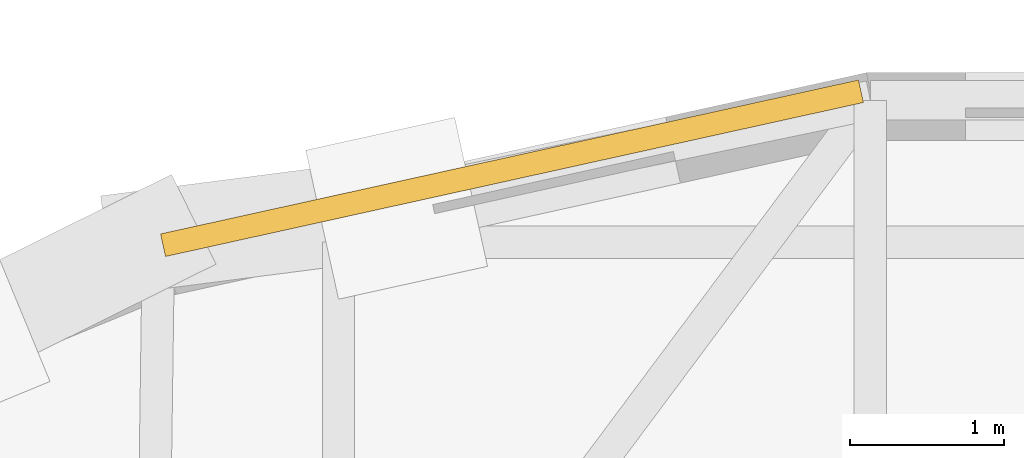
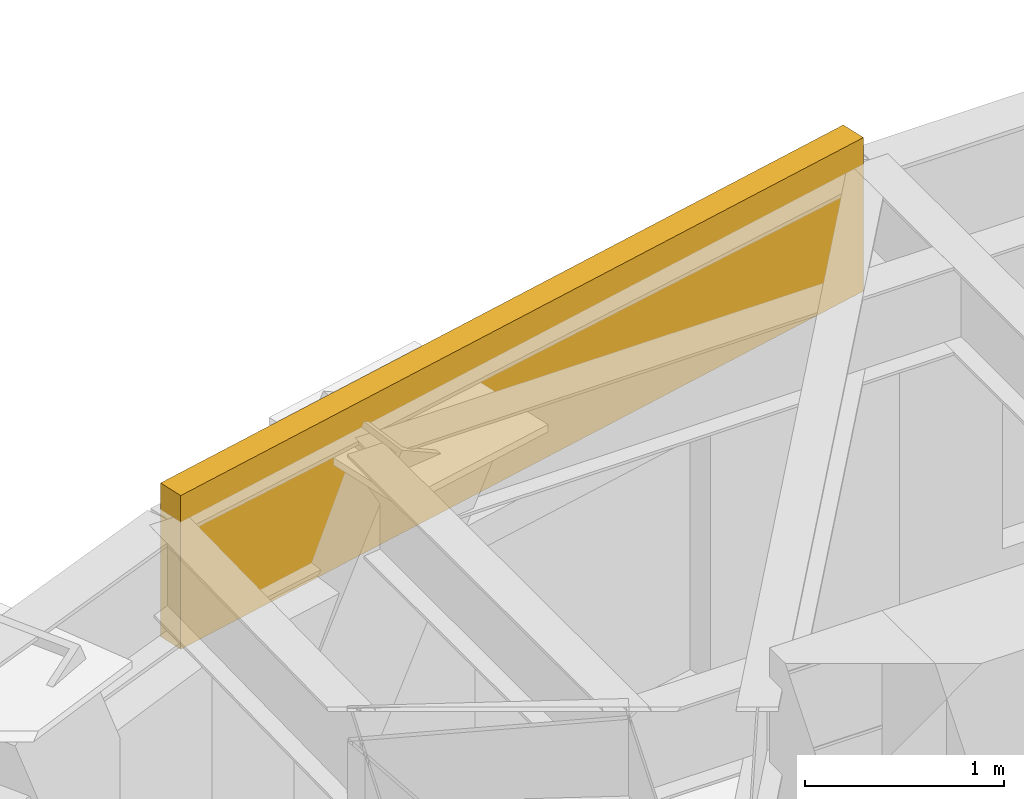
# One storey, part 14 of 14: 1 covering.
"""IFC4 building model written with IfcOpenShell, lengths in metres."""

from ifc_helpers import new_model, si_unit, direction, frame, origin, origin_2d, place, context, subcontext, project, spatial, rectangle, extrude, material, layer, layer_set, type_object, element, save


model = new_model("IFC4")

# Units and contexts
model_context = context("Model", 3, precision=1e-05, world=origin(), true_north=direction((0.0, 1.0)))
body_context = subcontext(model_context, "Body", "Model", "MODEL_VIEW")
ifc_project = project(units=[si_unit("LENGTHUNIT", "METRE"), si_unit("AREAUNIT", "SQUARE_METRE"), si_unit("VOLUMEUNIT", "CUBIC_METRE"), si_unit("PLANEANGLEUNIT", "RADIAN"), si_unit("MASSUNIT", "GRAM", prefix="KILO")], contexts=[model_context])

# Site, building, storey
site_placement = place(None, origin())
site = spatial("IfcSite", under=ifc_project, at=site_placement, CompositionType="ELEMENT")
building_placement = place(site_placement, origin())
building = spatial("IfcBuilding", under=site, at=building_placement, Name="Keldmark Tower", CompositionType="ELEMENT")
storey_placement = place(building_placement, frame((0.0, 0.0, 185.39990234375)))
storey = spatial("IfcBuildingStorey", under=building, at=storey_placement, Name="L51", CompositionType="ELEMENT", Elevation=185.39990234375)

# Covering
ifc_material = material(Name="Honed Kasota Buff Dolomitic Limestone", Category="masonry")
ifc_layer = layer(ifc_material, 0.074951171875)
ifc_layer_set = layer_set([ifc_layer], Name="Honed Kasota Buff Dolomitic Limestone")
covering_type = type_object("IfcCoveringType", Name="Kasota Buff Limestone Spandrel Cladding Band", PredefinedType="CLADDING", material=ifc_layer_set)
covering_placement = place(storey_placement, frame((-4.75439453125, 16.27587890625, 2.2392578125), z_axis=(0.0, 0.0, 1.0), x_axis=(-0.976514606727, -0.215451207582, 0.0)))
element("IfcCovering", 1, at=covering_placement, inside=storey, type_object=covering_type, Name="L51 Kasota Limestone Spandrel Band 09", PredefinedType="CLADDING", context=body_context, shape_type="SweptSolid", body=[
    extrude(rectangle(XDim=4.638427734375, YDim=0.14990234375, at=origin_2d()), origin(), (0.0, 0.0, 1.0), 0.94091796875),
])

save(model, "model.ifc")
